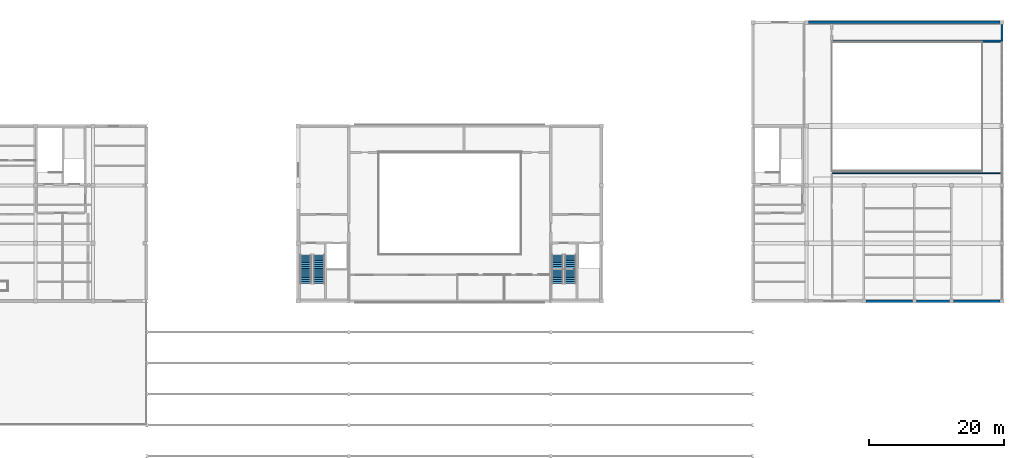
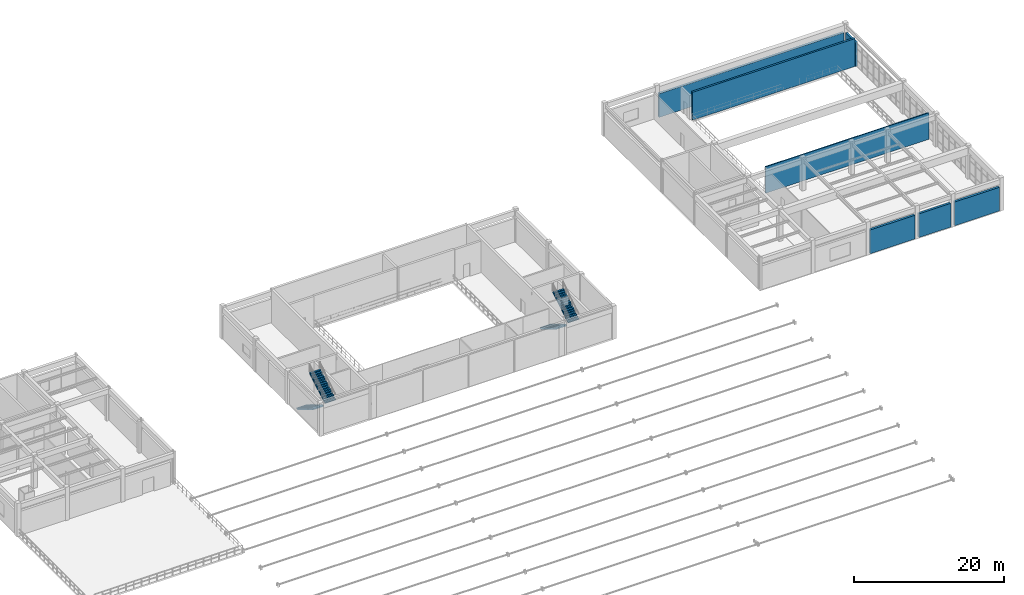
# One storey, part 35 of 38: 7 walls, 4 stair flights, 2 elements without a shape of their own.
"""IFC4 building model written with IfcOpenShell, lengths in metres."""

import ifcopenshell
import ifcopenshell.guid

model = None  # the IFC model being written
_history = None  # IfcOwnerHistory: only IFC2X3 demands one
_inside = {}  # id of a spatial element -> (the spatial element, [elements in it])
_under = {}  # id of a project, library or spatial element -> (it, [spatial elements below it])
_declared = {}  # id of a project -> (the project, [libraries it declares])
_typed = {}  # id of a type object -> (the type object, [elements of that type])
_made_of = {}  # id of a material, layer set ... -> (it, [elements and type objects made of it])


def new_model(schema):
    """Start an empty IFC model of exactly this schema.

    Asked for "IFC4X3", IfcOpenShell would pick the latest addendum, in which some entities
    have other attributes; the version numbers below select the first issue.
    IFC2X3 requires an IfcOwnerHistory on every rooted entity: one is made here for all.
    """
    global model, _history
    if schema == "IFC4X3":
        model = ifcopenshell.file(schema_version=(4, 3, 0, 0))
    else:
        model = ifcopenshell.file(schema=schema)
    _inside.clear()
    _under.clear()
    _declared.clear()
    _typed.clear()
    _made_of.clear()
    _history = None
    if model.schema == "IFC2X3":
        org = make("IfcOrganization", Name="unknown")
        user = make(
            "IfcPersonAndOrganization",
            ThePerson=make("IfcPerson", FamilyName="unknown"),
            TheOrganization=org,
        )
        app = make(
            "IfcApplication",
            ApplicationDeveloper=org,
            Version="unknown",
            ApplicationFullName="unknown",
            ApplicationIdentifier="unknown",
        )
        _history = make(
            "IfcOwnerHistory",
            OwningUser=user,
            OwningApplication=app,
            ChangeAction="ADDED",
            CreationDate=0,
        )
    return model


def make(cls, **values):
    """One entity of the class cls with the attributes given. An attribute that is None is left unset."""
    return model.create_entity(
        cls, **{name: value for name, value in values.items() if value is not None}
    )


def rooted(cls, **values):
    """An entity with a GlobalId (a new one), such as an element, a storey or a relation."""
    return make(cls, GlobalId=ifcopenshell.guid.new(), OwnerHistory=_history, **values)


def si_unit(unit_type, name, prefix=None):
    """IfcSIUnit, for example si_unit("LENGTHUNIT", "METRE", prefix="MILLI")."""
    return make("IfcSIUnit", UnitType=unit_type, Prefix=prefix, Name=name)


def assignment(units):
    """IfcUnitAssignment: the units of a project."""
    return None if units is None else make("IfcUnitAssignment", Units=units)


def point(xyz):
    """IfcCartesianPoint."""
    return None if xyz is None else make("IfcCartesianPoint", Coordinates=xyz)


def direction(xyz):
    """IfcDirection."""
    return None if xyz is None else make("IfcDirection", DirectionRatios=xyz)


def frame(location, z_axis=None, x_axis=None):
    """IfcAxis2Placement3D, a coordinate frame: its origin and axes. An axis left out is left unset."""
    return make(
        "IfcAxis2Placement3D",
        Location=point(location),
        Axis=direction(z_axis),
        RefDirection=direction(x_axis),
    )


def frame_2d(location, x_axis=None):
    """IfcAxis2Placement2D, a coordinate frame in the plane: its origin and x axis."""
    return make(
        "IfcAxis2Placement2D", Location=point(location), RefDirection=direction(x_axis)
    )


def origin():
    """The frame at (0, 0, 0) with its axes left unset."""
    return frame((0.0, 0.0, 0.0))


def place(relative_to, where):
    """IfcLocalPlacement: puts the frame where relative to a parent placement (None: the world)."""
    return make(
        "IfcLocalPlacement", PlacementRelTo=relative_to, RelativePlacement=where
    )


def context(
    kind, dimensions, precision=None, world=None, true_north=None, identifier=None
):
    """IfcGeometricRepresentationContext, for example the 3D "Model" context."""
    return make(
        "IfcGeometricRepresentationContext",
        ContextIdentifier=identifier,
        ContextType=kind,
        CoordinateSpaceDimension=dimensions,
        Precision=precision,
        WorldCoordinateSystem=world,
        TrueNorth=true_north,
    )


def subcontext(parent, identifier, kind, view, scale=None):
    """IfcGeometricRepresentationSubContext, for example "Body" below "Model"."""
    return make(
        "IfcGeometricRepresentationSubContext",
        ContextIdentifier=identifier,
        ContextType=kind,
        ParentContext=parent,
        TargetScale=scale,
        TargetView=view,
    )


def project(units=None, contexts=None):
    """IfcProject with its units and contexts."""
    return rooted(
        "IfcProject",
        Name="project",
        RepresentationContexts=contexts,
        UnitsInContext=assignment(units),
    )


def spatial(cls, under=None, at=None, **own):
    """A site, building, storey or space (cls), placed at a placement, below another one or the project."""
    s = rooted(cls, ObjectPlacement=at, **own)
    if under is not None:
        _under.setdefault(under.id(), (under, []))[1].append(s)
    return s


def polyline(points):
    """IfcPolyline through the points."""
    return make("IfcPolyline", Points=[point(p) for p in points])


def profile(cls, at=None, kind="AREA", **sizes):
    """A parametric profile (cls). Its sizes go by their IFC names, for example OverallWidth=200.0."""
    return make(cls, ProfileType=kind, Position=at, **sizes)


def rectangle(**sizes):
    """IfcRectangleProfileDef."""
    return profile("IfcRectangleProfileDef", **sizes)


def outline(outer, holes=None, kind="AREA"):
    """IfcArbitraryClosedProfileDef: a profile drawn as a closed curve; with holes, ...WithVoids."""
    if holes is None:
        return make("IfcArbitraryClosedProfileDef", ProfileType=kind, OuterCurve=outer)
    return make(
        "IfcArbitraryProfileDefWithVoids",
        ProfileType=kind,
        OuterCurve=outer,
        InnerCurves=holes,
    )


def extrude(swept, where, along, depth):
    """IfcExtrudedAreaSolid: the profile swept, set in the frame where, extruded along a direction by depth."""
    return make(
        "IfcExtrudedAreaSolid",
        SweptArea=swept,
        Position=where,
        ExtrudedDirection=direction(along),
        Depth=depth,
    )


def shape(context_of_items, identifier, shape_type, items):
    """IfcShapeRepresentation: the items that make up one representation, for example the "Body"."""
    return make(
        "IfcShapeRepresentation",
        ContextOfItems=context_of_items,
        RepresentationIdentifier=identifier,
        RepresentationType=shape_type,
        Items=items,
    )


def material(Name=None, Category=None):
    """IfcMaterial."""
    return make("IfcMaterial", Name=Name, Category=Category)


def layer(
    of_material, thickness, ventilated=None, Name=None, Category=None, Priority=None
):
    """IfcMaterialLayer: one layer of a wall or slab, of a material (None: an air gap)."""
    return make(
        "IfcMaterialLayer",
        Material=of_material,
        LayerThickness=thickness,
        IsVentilated=ventilated,
        Name=Name,
        Category=Category,
        Priority=Priority,
    )


def layer_set(layers, Name=None):
    """IfcMaterialLayerSet."""
    return make("IfcMaterialLayerSet", MaterialLayers=layers, LayerSetName=Name)


def made_of(thing, what):
    """Note that an element or type object is made of a material, layer set ...; save() writes the relation."""
    if what is not None:
        _made_of.setdefault(what.id(), (what, []))[1].append(thing)
    return thing


def type_object(cls, material=None, **own):
    """A type object (cls), such as IfcWallType, which elements share."""
    return made_of(rooted(cls, **own), material)


def element(
    cls,
    number,
    at=None,
    inside=None,
    cuts=None,
    type_object=None,
    material=None,
    context=None,
    identifier="Body",
    shape_type=None,
    held_by="IfcProductDefinitionShape",
    body=None,
    shapes=None,
    **own,
):
    """One element of the class cls, such as IfcWall. Its Tag is "e" and its number.

    at: its placement. inside: the storey or other place that contains it. cuts: it is an
    opening in that element (IfcRelVoidsElement). A single representation is given by context,
    identifier, shape_type and body (its items); several are given by shapes. held_by: the class
    of the entity that holds the representations. save() writes the other relations.
    """
    e = rooted(cls, Tag="e%d" % number, ObjectPlacement=at, **own)
    if body is not None:
        shapes = [shape(context, identifier, shape_type, body)]
    if shapes is not None:
        e.Representation = make(held_by, Representations=shapes)
    if inside is not None:
        _inside.setdefault(inside.id(), (inside, []))[1].append(e)
    if cuts is not None:
        rooted(
            "IfcRelVoidsElement", RelatingBuildingElement=cuts, RelatedOpeningElement=e
        )
    if type_object is not None:
        _typed.setdefault(type_object.id(), (type_object, []))[1].append(e)
    return made_of(e, material)


def aggregate(whole, parts):
    """IfcRelAggregates: a whole, such as a stair, and the parts it consists of."""
    return rooted("IfcRelAggregates", RelatingObject=whole, RelatedObjects=parts)


def save(model, path):
    """Write the relations noted so far, then the file.

    IfcRelAggregates (storeys below a building ...), IfcRelContainedInSpatialStructure (elements
    in a storey), IfcRelDefinesByType, IfcRelAssociatesMaterial and IfcRelDeclares: one each for
    every whole, place, type object, material and project.
    """
    for whole, parts in _under.values():
        aggregate(whole, parts)
    for where, things in _inside.values():
        rooted(
            "IfcRelContainedInSpatialStructure",
            RelatedElements=things,
            RelatingStructure=where,
        )
    for kind, things in _typed.values():
        rooted("IfcRelDefinesByType", RelatedObjects=things, RelatingType=kind)
    for what, things in _made_of.values():
        rooted("IfcRelAssociatesMaterial", RelatedObjects=things, RelatingMaterial=what)
    for by, libraries in _declared.values():
        rooted("IfcRelDeclares", RelatingContext=by, RelatedDefinitions=libraries)
    model.write(path)


model = new_model("IFC4")

# Units and contexts
model_context = context("Model", 3, precision=1e-05, world=origin(), true_north=direction((0.0, 1.0)))
body_context = subcontext(model_context, "Body", "Model", "MODEL_VIEW")
ifc_project = project(units=[si_unit("LENGTHUNIT", "METRE"), si_unit("AREAUNIT", "SQUARE_METRE"), si_unit("VOLUMEUNIT", "CUBIC_METRE"), si_unit("PLANEANGLEUNIT", "RADIAN"), si_unit("MASSUNIT", "GRAM", prefix="KILO")], contexts=[model_context])

# Site, building, storey
site_placement = place(None, origin())
site = spatial("IfcSite", under=ifc_project, at=site_placement, CompositionType="ELEMENT")
building_placement = place(site_placement, origin())
building = spatial("IfcBuilding", under=site, at=building_placement, Name="Muzn Square Opera House", CompositionType="ELEMENT")
storey_placement = place(building_placement, frame((0.0, 0.0, 18.0)))
storey = spatial("IfcBuildingStorey", under=building, at=storey_placement, Name="L04", CompositionType="ELEMENT", Elevation=18.0)

# Walls
ifc_material_1 = material(Name="Concrete C40/50", Category="concrete")
ifc_layer_1 = layer(ifc_material_1, 0.340087890625, Name="Concrete C40/50", Category="concrete")
ifc_layer_set_1 = layer_set([ifc_layer_1], Name="Concrete C40/50")
wall_type_1 = type_object("IfcWallType", Name="Exterior Insulated Spandrel Wall 340mm", PredefinedType="SOLIDWALL", material=ifc_layer_set_1)
wall_1_placement = place(storey_placement, frame((170.0, 111.0, 0.0), z_axis=(0.0, 0.0, 1.0), x_axis=(0.0, 1.0, 0.0)))
element("IfcWall", 1, at=wall_1_placement, inside=storey, type_object=wall_type_1, Name="Exterior Facade Wall EW-L04-268", PredefinedType="SOLIDWALL", context=body_context, shape_type="SweptSolid", body=[
    extrude(rectangle(XDim=2.699951171875, YDim=0.340087890625, at=frame_2d((1.35009765625, 0.0))), origin(), (0.0, 0.0, 1.0), 3.85009765625),
])
wall_2_placement = place(storey_placement, frame((149.800048828125, 72.60009765625, 0.0), z_axis=(0.0, 0.0, 1.0), x_axis=(1.0, 0.0, 0.0)))
element("IfcWall", 2, at=wall_2_placement, inside=storey, type_object=wall_type_1, Name="Exterior Facade Wall EW-L04-270", PredefinedType="SOLIDWALL", context=body_context, shape_type="SweptSolid", body=[
    extrude(rectangle(XDim=6.89990234375, YDim=0.340087890625, at=frame_2d((3.449951171875, 0.0))), origin(), (0.0, 0.0, 1.0), 3.85009765625),
])
wall_3_placement = place(storey_placement, frame((157.300048828125, 72.60009765625, 0.0), z_axis=(0.0, 0.0, 1.0), x_axis=(1.0, 0.0, 0.0)))
element("IfcWall", 3, at=wall_3_placement, inside=storey, type_object=wall_type_1, Name="Exterior Facade Wall EW-L04-271", PredefinedType="SOLIDWALL", context=body_context, shape_type="SweptSolid", body=[
    extrude(rectangle(XDim=4.89990234375, YDim=0.340087890625, at=frame_2d((2.449951171875, 0.0))), origin(), (0.0, 0.0, 1.0), 3.85009765625),
])
wall_4_placement = place(storey_placement, frame((162.800048828125, 72.60009765625, 0.0), z_axis=(0.0, 0.0, 1.0), x_axis=(1.0, 0.0, 0.0)))
element("IfcWall", 4, at=wall_4_placement, inside=storey, type_object=wall_type_1, Name="Exterior Facade Wall EW-L04-272", PredefinedType="SOLIDWALL", context=body_context, shape_type="SweptSolid", body=[
    extrude(rectangle(XDim=6.89990234375, YDim=0.340087890625, at=frame_2d((3.449951171875, 0.0))), origin(), (0.0, 0.0, 1.0), 3.85009765625),
])
wall_5_placement = place(storey_placement, frame((141.300048828125, 114.0, 0.0), z_axis=(0.0, 0.0, 1.0), x_axis=(1.0, 0.0, 0.0)))
element("IfcWall", 5, at=wall_5_placement, inside=storey, type_object=wall_type_1, Name="Exterior Facade Wall EW-L04-277", PredefinedType="SOLIDWALL", context=body_context, shape_type="SweptSolid", body=[
    extrude(rectangle(XDim=28.39990234375, YDim=0.340087890625, at=frame_2d((14.199951171875, 0.0))), origin(), (0.0, 0.0, 1.0), 3.85009765625),
])
ifc_material_2 = material(Name="Acoustic gypsum stud partition", Category="gypsum")
ifc_layer_2 = layer(ifc_material_2, 0.14990234375, Name="Acoustic gypsum stud partition", Category="gypsum")
ifc_layer_set_2 = layer_set([ifc_layer_2], Name="Acoustic gypsum stud partition")
wall_type_2 = type_object("IfcWallType", Name="Office Acoustic Partition 150mm", PredefinedType="PARTITIONING", material=ifc_layer_set_2)
wall_6_placement = place(storey_placement, frame((144.800048828125, 91.60009765625, 0.0), z_axis=(0.0, 0.0, 1.0), x_axis=(1.0, 0.0, 0.0)))
element("IfcWall", 6, at=wall_6_placement, inside=storey, type_object=wall_type_2, Name="Room Enclosure Partition PW-L04-0407", PredefinedType="PARTITIONING", context=body_context, shape_type="SweptSolid", body=[
    extrude(rectangle(XDim=25.114990234375, YDim=0.14990234375, at=frame_2d((12.5576171875, 0.0))), origin(), (0.0, 0.0, 1.0), 4.300048828125),
])
ifc_layer_3 = layer(ifc_material_2, 0.2900390625, Name="Acoustic gypsum stud partition", Category="gypsum")
ifc_layer_set_3 = layer_set([ifc_layer_3], Name="Acoustic gypsum stud partition")
wall_type_3 = type_object("IfcWallType", Name="Rehearsal Sound Wall 290mm", PredefinedType="PARTITIONING", material=ifc_layer_set_3)
wall_7_placement = place(storey_placement, frame((144.830078125, 111.199951171875, 0.0), z_axis=(0.0, 0.0, 1.0), x_axis=(1.0, 0.0, 0.0)))
element("IfcWall", 7, at=wall_7_placement, inside=storey, type_object=wall_type_3, Name="Room Enclosure Partition PW-L04-0413", PredefinedType="PARTITIONING", context=body_context, shape_type="SweptSolid", body=[
    extrude(rectangle(XDim=24.994873046875, YDim=0.2900390625, at=frame_2d((12.49755859375, 0.0))), origin(), (0.0, 0.0, 1.0), 4.530029296875),
])

# Stair, stair flights
stair_type = type_object("IfcStairType", Name="Core Escape Dogleg Stair", PredefinedType="HALF_TURN_STAIR", material=ifc_material_1)
stair_1_placement = place(storey_placement, origin())
stair_1 = element("IfcStair", 8, at=stair_1_placement, inside=storey, type_object=stair_type, Name="L04 Escape Stair ST-1", PredefinedType="HALF_TURN_STAIR")
stair_flight_type = type_object("IfcStairFlightType", Name="Core Stair Flight 1660mm", PredefinedType="STRAIGHT", material=ifc_material_1)
stair_flight_1_placement = place(storey_placement, frame((66.6298828125, 79.43994140625, 0.0), z_axis=(0.0, 0.0, 1.0), x_axis=(0.0, -1.0, 0.0)))
stair_flight_1 = element("IfcStairFlight", 9, at=stair_flight_1_placement, type_object=stair_flight_type, Name="ST-1 flight 1", NumberOfRisers=16, NumberOfTreads=15, PredefinedType="STRAIGHT", RiserHeight=0.16875, TreadLength=0.28, context=body_context, shape_type="SweptSolid", body=[
    extrude(outline(polyline([(0.0, 0.0), (0.0, 0.168701171875), (0.280029296875, 0.168701171875), (0.280029296875, 0.33740234375), (0.56005859375, 0.33740234375), (0.56005859375, 0.50634765625), (0.840087890625, 0.50634765625), (0.840087890625, 0.675048828125), (1.1201171875, 0.675048828125), (1.1201171875, 0.84375), (1.39990234375, 0.84375), (1.39990234375, 1.012451171875), (1.679931640625, 1.012451171875), (1.679931640625, 1.18115234375), (1.9599609375, 1.18115234375), (1.9599609375, 1.35009765625), (2.239990234375, 1.35009765625), (2.239990234375, 1.518798828125), (2.52001953125, 1.518798828125), (2.52001953125, 1.6875), (2.800048828125, 1.6875), (2.800048828125, 1.856201171875), (3.080078125, 1.856201171875), (3.080078125, 2.02490234375), (3.360107421875, 2.02490234375), (3.360107421875, 2.19384765625), (3.639892578125, 2.19384765625), (3.639892578125, 2.362548828125), (3.919921875, 2.362548828125), (3.919921875, 2.53125), (4.199951171875, 2.53125), (4.199951171875, 2.699951171875), (4.199951171875, 2.3212890625), (0.3486328125, 0.0), (0.0, 0.0)])), frame((0.0, 0.830078125, 0.0), z_axis=(0.0, -1.0, 0.0), x_axis=(1.0, 0.0, 0.0)), (0.0, 0.0, 1.0), 1.659912109375),
])
stair_flight_2_placement = place(storey_placement, frame((68.570068359375, 75.239990234375, 2.699951171875), z_axis=(0.0, 0.0, 1.0), x_axis=(0.0, 1.0, 0.0)))
stair_flight_2 = element("IfcStairFlight", 10, at=stair_flight_2_placement, type_object=stair_flight_type, Name="ST-1 flight 2", NumberOfRisers=16, NumberOfTreads=15, PredefinedType="STRAIGHT", RiserHeight=0.16875, TreadLength=0.28, context=body_context, shape_type="SweptSolid", body=[
    extrude(outline(polyline([(0.0, 0.0), (0.0, 0.168701171875), (0.280029296875, 0.168701171875), (0.280029296875, 0.33740234375), (0.56005859375, 0.33740234375), (0.56005859375, 0.50634765625), (0.840087890625, 0.50634765625), (0.840087890625, 0.675048828125), (1.1201171875, 0.675048828125), (1.1201171875, 0.84375), (1.39990234375, 0.84375), (1.39990234375, 1.012451171875), (1.679931640625, 1.012451171875), (1.679931640625, 1.18115234375), (1.9599609375, 1.18115234375), (1.9599609375, 1.35009765625), (2.239990234375, 1.35009765625), (2.239990234375, 1.518798828125), (2.52001953125, 1.518798828125), (2.52001953125, 1.6875), (2.800048828125, 1.6875), (2.800048828125, 1.856201171875), (3.080078125, 1.856201171875), (3.080078125, 2.02490234375), (3.360107421875, 2.02490234375), (3.360107421875, 2.19384765625), (3.639892578125, 2.19384765625), (3.639892578125, 2.362548828125), (3.919921875, 2.362548828125), (3.919921875, 2.53125), (4.199951171875, 2.53125), (4.199951171875, 2.699951171875), (4.199951171875, 2.3212890625), (0.3486328125, 0.0), (0.0, 0.0)])), frame((0.0, 0.830078125, 0.0), z_axis=(0.0, -1.0, 0.0), x_axis=(1.0, 0.0, 0.0)), (0.0, 0.0, 1.0), 1.659912109375),
])
aggregate(stair_1, [stair_flight_1, stair_flight_2])

stair_2_placement = place(storey_placement, origin())
stair_2 = element("IfcStair", 11, at=stair_2_placement, inside=storey, type_object=stair_type, Name="L04 Escape Stair ST-2", PredefinedType="HALF_TURN_STAIR")
stair_flight_3_placement = place(storey_placement, frame((104.0, 79.43994140625, 0.0), z_axis=(0.0, 0.0, 1.0), x_axis=(0.0, -1.0, 0.0)))
stair_flight_3 = element("IfcStairFlight", 12, at=stair_flight_3_placement, type_object=stair_flight_type, Name="ST-2 flight 1", NumberOfRisers=16, NumberOfTreads=15, PredefinedType="STRAIGHT", RiserHeight=0.16875, TreadLength=0.28, context=body_context, shape_type="SweptSolid", body=[
    extrude(outline(polyline([(0.0, 0.0), (0.0, 0.168701171875), (0.280029296875, 0.168701171875), (0.280029296875, 0.33740234375), (0.56005859375, 0.33740234375), (0.56005859375, 0.50634765625), (0.840087890625, 0.50634765625), (0.840087890625, 0.675048828125), (1.1201171875, 0.675048828125), (1.1201171875, 0.84375), (1.39990234375, 0.84375), (1.39990234375, 1.012451171875), (1.679931640625, 1.012451171875), (1.679931640625, 1.18115234375), (1.9599609375, 1.18115234375), (1.9599609375, 1.35009765625), (2.239990234375, 1.35009765625), (2.239990234375, 1.518798828125), (2.52001953125, 1.518798828125), (2.52001953125, 1.6875), (2.800048828125, 1.6875), (2.800048828125, 1.856201171875), (3.080078125, 1.856201171875), (3.080078125, 2.02490234375), (3.360107421875, 2.02490234375), (3.360107421875, 2.19384765625), (3.639892578125, 2.19384765625), (3.639892578125, 2.362548828125), (3.919921875, 2.362548828125), (3.919921875, 2.53125), (4.199951171875, 2.53125), (4.199951171875, 2.699951171875), (4.199951171875, 2.3212890625), (0.3486328125, 0.0), (0.0, 0.0)])), frame((0.0, 0.830078125, 0.0), z_axis=(0.0, -1.0, 0.0), x_axis=(1.0, 0.0, 0.0)), (0.0, 0.0, 1.0), 1.659912109375),
])
stair_flight_4_placement = place(storey_placement, frame((105.93994140625, 75.239990234375, 2.699951171875), z_axis=(0.0, 0.0, 1.0), x_axis=(0.0, 1.0, 0.0)))
stair_flight_4 = element("IfcStairFlight", 13, at=stair_flight_4_placement, type_object=stair_flight_type, Name="ST-2 flight 2", NumberOfRisers=16, NumberOfTreads=15, PredefinedType="STRAIGHT", RiserHeight=0.16875, TreadLength=0.28, context=body_context, shape_type="SweptSolid", body=[
    extrude(outline(polyline([(0.0, 0.0), (0.0, 0.168701171875), (0.280029296875, 0.168701171875), (0.280029296875, 0.33740234375), (0.56005859375, 0.33740234375), (0.56005859375, 0.50634765625), (0.840087890625, 0.50634765625), (0.840087890625, 0.675048828125), (1.1201171875, 0.675048828125), (1.1201171875, 0.84375), (1.39990234375, 0.84375), (1.39990234375, 1.012451171875), (1.679931640625, 1.012451171875), (1.679931640625, 1.18115234375), (1.9599609375, 1.18115234375), (1.9599609375, 1.35009765625), (2.239990234375, 1.35009765625), (2.239990234375, 1.518798828125), (2.52001953125, 1.518798828125), (2.52001953125, 1.6875), (2.800048828125, 1.6875), (2.800048828125, 1.856201171875), (3.080078125, 1.856201171875), (3.080078125, 2.02490234375), (3.360107421875, 2.02490234375), (3.360107421875, 2.19384765625), (3.639892578125, 2.19384765625), (3.639892578125, 2.362548828125), (3.919921875, 2.362548828125), (3.919921875, 2.53125), (4.199951171875, 2.53125), (4.199951171875, 2.699951171875), (4.199951171875, 2.3212890625), (0.3486328125, 0.0), (0.0, 0.0)])), frame((0.0, 0.830078125, 0.0), z_axis=(0.0, -1.0, 0.0), x_axis=(1.0, 0.0, 0.0)), (0.0, 0.0, 1.0), 1.659912109375),
])
aggregate(stair_2, [stair_flight_3, stair_flight_4])

save(model, "model.ifc")
